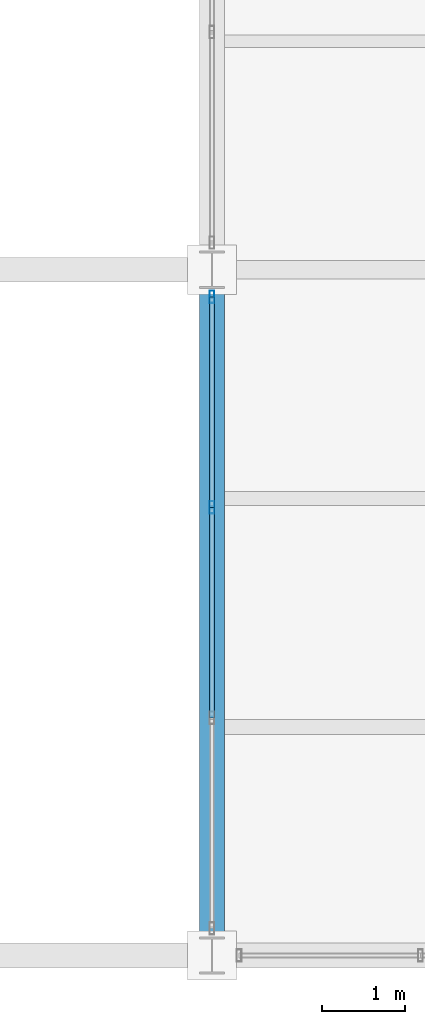
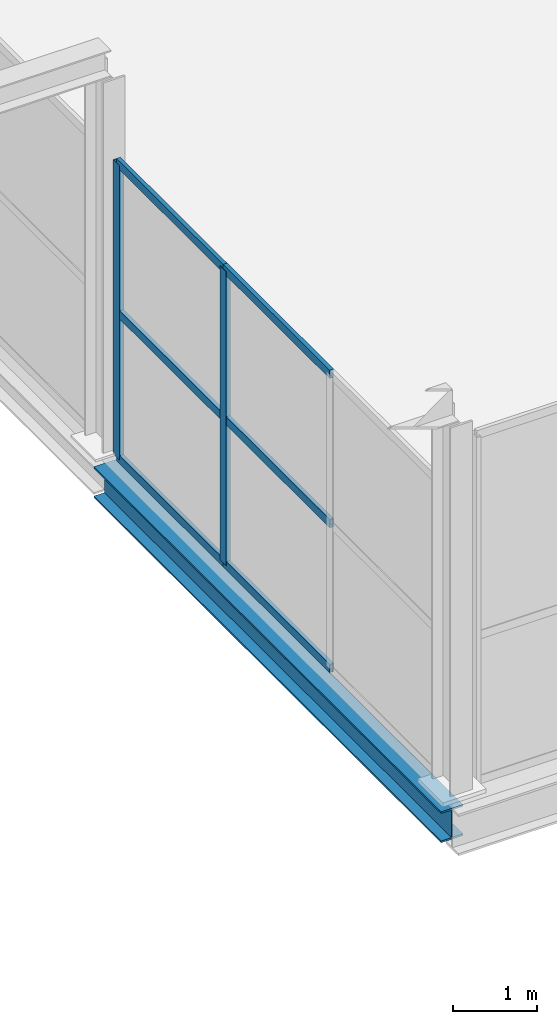
# One storey, part 20 of 147: 8 members, 1 beam, 1 element without a shape of its own.
"""IFC4 building model written with IfcOpenShell, lengths in metres."""

from ifc_helpers import new_model, si_unit, direction, frame, origin, origin_2d, place, context, subcontext, project, spatial, hollow_rectangle, i_section, extrude, material, layer, layer_set, material_profile, profile_set, type_object, element, aggregate, save


model = new_model("IFC4")

# Units and contexts
model_context = context("Model", 3, precision=1e-05, world=origin(), true_north=direction((0.0, 1.0)))
body_context = subcontext(model_context, "Body", "Model", "MODEL_VIEW")
ifc_project = project(units=[si_unit("LENGTHUNIT", "METRE"), si_unit("AREAUNIT", "SQUARE_METRE"), si_unit("VOLUMEUNIT", "CUBIC_METRE"), si_unit("PLANEANGLEUNIT", "RADIAN"), si_unit("MASSUNIT", "GRAM", prefix="KILO")], contexts=[model_context])

# Site, building, storey
site_placement = place(None, origin())
site = spatial("IfcSite", under=ifc_project, at=site_placement, CompositionType="ELEMENT")
building_placement = place(site_placement, origin())
building = spatial("IfcBuilding", under=site, at=building_placement, Name="Sundgate Opera House", CompositionType="ELEMENT")
storey_placement = place(building_placement, frame((0.0, 0.0, 6.0)))
storey = spatial("IfcBuildingStorey", under=building, at=storey_placement, Name="L01", CompositionType="ELEMENT", Elevation=6.0)

# Beam
ifc_material_1 = material(Name="Steel S355J2", Category="steel")
ifc_material_profile_1 = material_profile(ifc_material_1, i_section(OverallWidth=0.300048828125, OverallDepth=0.449951171875, WebThickness=0.013916015625, FlangeThickness=0.02587890625, at=origin_2d()), Name="HEB 450")
ifc_profile_set_1 = profile_set([ifc_material_profile_1], Name="Steel S355J2")
beam_type = type_object("IfcBeamType", Name="BM-GR-HEB450", PredefinedType="BEAM", material=ifc_profile_set_1)
beam_placement = place(storey_placement, frame((95.39990234375, 0.0, -0.52490234375), z_axis=(0.0, 1.0, 0.0), x_axis=(-1.0, 0.0, 0.0)))
element("IfcBeam", 1, at=beam_placement, inside=storey, type_object=beam_type, Name="L01 Primary N-S Girder B1143", PredefinedType="BEAM", context=body_context, shape_type="SweptSolid", body=[
    extrude(i_section(OverallWidth=0.300048828125, OverallDepth=0.449951171875, WebThickness=0.013916015625, FlangeThickness=0.02587890625, at=origin_2d()), origin(), (0.0, 0.0, 1.0), 8.25),
])

# Curtain wall, members
ifc_material_2 = material(Name="Anodized aluminium and low-iron glass", Category="aluminium")
ifc_layer = layer(ifc_material_2, 0.14990234375)
ifc_layer_set = layer_set([ifc_layer], Name="Anodized aluminium and low-iron glass")
curtain_wall_type = type_object("IfcCurtainWallType", Name="CW-WORKSHOP-DARK", PredefinedType="NOTDEFINED", material=ifc_layer_set)
curtain_wall_placement = place(storey_placement, origin())
curtain_wall = element("IfcCurtainWall", 2, at=curtain_wall_placement, inside=storey, type_object=curtain_wall_type, Name="L01 Curtain Wall CW144", PredefinedType="NOTDEFINED")
ifc_material_3 = material(Name="Anodized aluminium EN AW-6063", Category="aluminium")
ifc_material_profile_2 = material_profile(ifc_material_3, hollow_rectangle(XDim=0.06005859375, YDim=0.14990234375, WallThickness=0.00390625, at=origin_2d()), Name="CWM 150x60x4")
ifc_profile_set_2 = profile_set([ifc_material_profile_2], Name="Anodized aluminium EN AW-6063")
member_type_1 = type_object("IfcMemberType", Name="CWM-ALU-150x60", PredefinedType="MULLION", material=ifc_profile_set_2)
member_1_placement = place(storey_placement, frame((95.39990234375, 7.925048828125, 0.0), z_axis=(0.0, 0.0, 1.0), x_axis=(1.0, 0.0, 0.0)))
member_1 = element("IfcMember", 3, at=member_1_placement, type_object=member_type_1, Name="CW144 Mullion 1", PredefinedType="MULLION", context=body_context, shape_type="SweptSolid", body=[
    extrude(hollow_rectangle(XDim=0.06005859375, YDim=0.14990234375, WallThickness=0.00390625, at=origin_2d()), origin(), (0.0, 0.0, 1.0), 4.264892578125),
])
member_2_placement = place(storey_placement, frame((95.39990234375, 5.3916015625, 0.0), z_axis=(0.0, 0.0, 1.0), x_axis=(1.0, 0.0, 0.0)))
member_2 = element("IfcMember", 4, at=member_2_placement, type_object=member_type_1, Name="CW144 Mullion 2", PredefinedType="MULLION", context=body_context, shape_type="SweptSolid", body=[
    extrude(hollow_rectangle(XDim=0.06005859375, YDim=0.14990234375, WallThickness=0.00390625, at=origin_2d()), origin(), (0.0, 0.0, 1.0), 4.264892578125),
])
ifc_material_4 = material(Name="Anodized aluminium EN AW-6063", Category="aluminium")
ifc_material_profile_3 = material_profile(ifc_material_4, hollow_rectangle(XDim=0.054931640625, YDim=0.1201171875, WallThickness=0.00390625, at=origin_2d()), Name="CWT 120x55x4")
ifc_profile_set_3 = profile_set([ifc_material_profile_3], Name="Anodized aluminium EN AW-6063")
member_type_2 = type_object("IfcMemberType", Name="CWT-ALU-120x55", PredefinedType="USERDEFINED", material=ifc_profile_set_3)
member_3_placement = place(storey_placement, frame((95.39990234375, 7.925048828125, 0.0), z_axis=(0.0, -1.0, 0.0), x_axis=(1.0, 0.0, 0.0)))
member_3 = element("IfcMember", 5, at=member_3_placement, type_object=member_type_2, Name="CW144 Transom 1", ObjectType="TRANSOM", PredefinedType="USERDEFINED", context=body_context, shape_type="SweptSolid", body=[
    extrude(hollow_rectangle(XDim=0.054931640625, YDim=0.1201171875, WallThickness=0.00390625, at=origin_2d()), origin(), (0.0, 0.0, 1.0), 2.533447265625),
])
member_4_placement = place(storey_placement, frame((95.39990234375, 7.925048828125, 2.10009765625), z_axis=(0.0, -1.0, 0.0), x_axis=(1.0, 0.0, 0.0)))
member_4 = element("IfcMember", 6, at=member_4_placement, type_object=member_type_2, Name="CW144 Transom 2", ObjectType="TRANSOM", PredefinedType="USERDEFINED", context=body_context, shape_type="SweptSolid", body=[
    extrude(hollow_rectangle(XDim=0.054931640625, YDim=0.1201171875, WallThickness=0.00390625, at=origin_2d()), origin(), (0.0, 0.0, 1.0), 2.533447265625),
])
member_5_placement = place(storey_placement, frame((95.39990234375, 7.925048828125, 4.264892578125), z_axis=(0.0, -1.0, 0.0), x_axis=(1.0, 0.0, 0.0)))
member_5 = element("IfcMember", 7, at=member_5_placement, type_object=member_type_2, Name="CW144 Transom 3", ObjectType="TRANSOM", PredefinedType="USERDEFINED", context=body_context, shape_type="SweptSolid", body=[
    extrude(hollow_rectangle(XDim=0.054931640625, YDim=0.1201171875, WallThickness=0.00390625, at=origin_2d()), origin(), (0.0, 0.0, 1.0), 2.533447265625),
])
member_6_placement = place(storey_placement, frame((95.39990234375, 5.3916015625, 0.0), z_axis=(0.0, -1.0, 0.0), x_axis=(1.0, 0.0, 0.0)))
member_6 = element("IfcMember", 8, at=member_6_placement, type_object=member_type_2, Name="CW144 Transom 4", ObjectType="TRANSOM", PredefinedType="USERDEFINED", context=body_context, shape_type="SweptSolid", body=[
    extrude(hollow_rectangle(XDim=0.054931640625, YDim=0.1201171875, WallThickness=0.00390625, at=origin_2d()), origin(), (0.0, 0.0, 1.0), 2.533203125),
])
member_7_placement = place(storey_placement, frame((95.39990234375, 5.3916015625, 2.10009765625), z_axis=(0.0, -1.0, 0.0), x_axis=(1.0, 0.0, 0.0)))
member_7 = element("IfcMember", 9, at=member_7_placement, type_object=member_type_2, Name="CW144 Transom 5", ObjectType="TRANSOM", PredefinedType="USERDEFINED", context=body_context, shape_type="SweptSolid", body=[
    extrude(hollow_rectangle(XDim=0.054931640625, YDim=0.1201171875, WallThickness=0.00390625, at=origin_2d()), origin(), (0.0, 0.0, 1.0), 2.533203125),
])
member_8_placement = place(storey_placement, frame((95.39990234375, 5.3916015625, 4.264892578125), z_axis=(0.0, -1.0, 0.0), x_axis=(1.0, 0.0, 0.0)))
member_8 = element("IfcMember", 10, at=member_8_placement, type_object=member_type_2, Name="CW144 Transom 6", ObjectType="TRANSOM", PredefinedType="USERDEFINED", context=body_context, shape_type="SweptSolid", body=[
    extrude(hollow_rectangle(XDim=0.054931640625, YDim=0.1201171875, WallThickness=0.00390625, at=origin_2d()), origin(), (0.0, 0.0, 1.0), 2.533203125),
])
aggregate(curtain_wall, [member_1, member_2, member_3, member_4, member_5, member_6, member_7, member_8])

save(model, "model.ifc")
